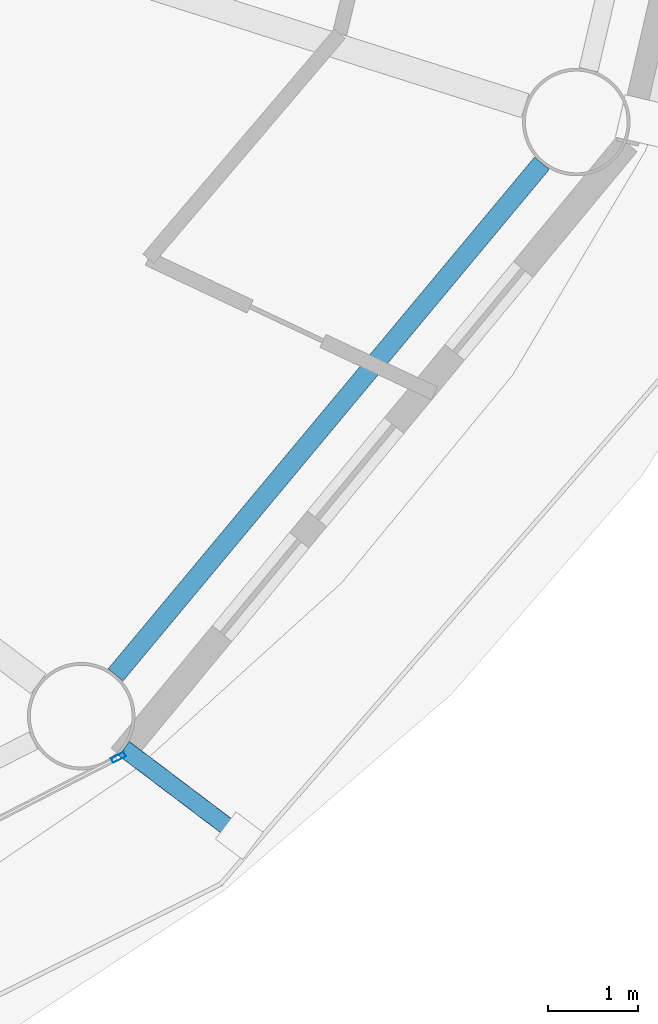
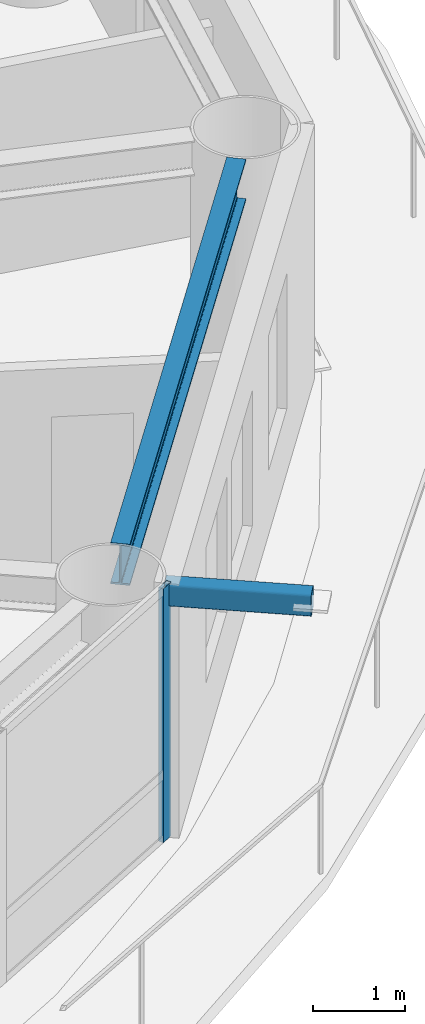
# One storey, part 7 of 28: 2 members, 1 beam, 1 element without a shape of its own.
"""IFC4 building model written with IfcOpenShell, lengths in metres."""

from ifc_helpers import new_model, si_unit, direction, frame, origin, origin_2d, place, context, subcontext, project, spatial, hollow_rectangle, i_section, extrude, material, layer, layer_set, material_profile, profile_set, type_object, element, aggregate, save


model = new_model("IFC4")

# Units and contexts
model_context = context("Model", 3, precision=1e-05, world=origin(), true_north=direction((0.0, 1.0)))
body_context = subcontext(model_context, "Body", "Model", "MODEL_VIEW")
ifc_project = project(units=[si_unit("LENGTHUNIT", "METRE"), si_unit("AREAUNIT", "SQUARE_METRE"), si_unit("VOLUMEUNIT", "CUBIC_METRE"), si_unit("PLANEANGLEUNIT", "RADIAN"), si_unit("MASSUNIT", "GRAM", prefix="KILO")], contexts=[model_context])

# Site, building, storey
site_placement = place(None, origin())
site = spatial("IfcSite", under=ifc_project, at=site_placement, CompositionType="ELEMENT")
building_placement = place(site_placement, origin())
building = spatial("IfcBuilding", under=site, at=building_placement, Name="Sarneth Arch Tower", CompositionType="ELEMENT")
storey_placement = place(building_placement, frame((0.0, 0.0, 183.0)))
storey = spatial("IfcBuildingStorey", under=building, at=storey_placement, Name="L46", CompositionType="ELEMENT", Elevation=183.0)

# Beam
ifc_material_1 = material(Name="Steel S355", Category="steel")
ifc_material_profile_1 = material_profile(ifc_material_1, i_section(OverallWidth=0.214111328125, OverallDepth=0.549072265625, WebThickness=0.0146484375, FlangeThickness=0.023681640625, FilletRadius=0.01806640625, at=origin_2d()), Name="W530x138")
ifc_profile_set_1 = profile_set([ifc_material_profile_1], Name="Steel S355")
beam_type = type_object("IfcBeamType", Name="BM-RAD-530A", PredefinedType="BEAM", material=ifc_profile_set_1)
beam_placement = place(storey_placement, frame((67.517822265625, 28.00048828125, 3.10546875), z_axis=(0.640161793626, 0.768240117399, 0.0), x_axis=(-0.768240117399, 0.640161793626, 0.0)))
element("IfcBeam", 1, at=beam_placement, inside=storey, type_object=beam_type, Name="L46 Perimeter spandrel beam 15", PredefinedType="BEAM", context=body_context, shape_type="SweptSolid", body=[
    extrude(i_section(OverallWidth=0.214111328125, OverallDepth=0.549072265625, WebThickness=0.0146484375, FlangeThickness=0.023681640625, FilletRadius=0.01806640625, at=origin_2d()), origin(), (0.0, 0.0, 1.0), 7.43603515625),
])

# Curtain wall, member
ifc_material_2 = material(Name="Anodised aluminium Type AA25 and solar-control low-e laminated IGU", Category="aluminium")
ifc_layer = layer(ifc_material_2, 0.169921875)
ifc_layer_set = layer_set([ifc_layer], Name="Anodised aluminium Type AA25 and solar-control low-e laminated IGU")
curtain_wall_type = type_object("IfcCurtainWallType", Name="CW-RES-MID", PredefinedType="NOTDEFINED", material=ifc_layer_set)
curtain_wall_placement = place(storey_placement, origin())
curtain_wall = element("IfcCurtainWall", 2, at=curtain_wall_placement, inside=storey, type_object=curtain_wall_type, Name="L46 Unitised curtain wall facet 14", PredefinedType="NOTDEFINED")
ifc_material_3 = material(Name="Anodised Aluminium 6063-T6", Category="aluminium")
ifc_material_profile_2 = material_profile(ifc_material_3, hollow_rectangle(XDim=0.06005859375, YDim=0.159912109375, WallThickness=0.00390625, at=origin_2d()), Name="AL-MULL-160x60x4")
ifc_profile_set_2 = profile_set([ifc_material_profile_2], Name="Anodised Aluminium 6063-T6")
member_type_1 = type_object("IfcMemberType", Name="CW-MULLION", PredefinedType="MULLION", material=ifc_profile_set_2)
member_1_placement = place(storey_placement, frame((67.549560546875, 27.08056640625, 0.0), z_axis=(0.0, 0.0, 1.0), x_axis=(-0.456208470329, 0.88987293003, 0.0)))
member_1 = element("IfcMember", 3, at=member_1_placement, type_object=member_type_1, Name="CW-SYS-5 mullion 4", PredefinedType="MULLION", context=body_context, shape_type="SweptSolid", body=[
    extrude(hollow_rectangle(XDim=0.06005859375, YDim=0.159912109375, WallThickness=0.00390625, at=origin_2d()), origin(), (0.0, 0.0, 1.0), 3.3798828125),
])
aggregate(curtain_wall, [member_1])

# Member
ifc_material_4 = material(Name="Steel S355", Category="steel")
ifc_material_profile_3 = material_profile(ifc_material_4, hollow_rectangle(XDim=0.199951171875, YDim=0.300048828125, WallThickness=0.012451171875, InnerFilletRadius=0.018798828125, OuterFilletRadius=0.03125, at=origin_2d()), Name="RHS300x200x12.5")
ifc_profile_set_3 = profile_set([ifc_material_profile_3], Name="Steel S355")
member_type_2 = type_object("IfcMemberType", Name="MEM-CANT-STRUT", PredefinedType="STRUT", material=ifc_profile_set_3)
member_2_placement = place(storey_placement, frame((67.612548828125, 27.177978515625, 3.219970703125), z_axis=(0.797742771317, -0.602997902826, 0.0), x_axis=(0.602997902826, 0.797742771317, 0.0)))
element("IfcMember", 4, at=member_2_placement, inside=storey, type_object=member_type_2, Name="L46 Balcony cantilever bracket 15", PredefinedType="STRUT", context=body_context, shape_type="SweptSolid", body=[
    extrude(hollow_rectangle(XDim=0.199951171875, YDim=0.300048828125, WallThickness=0.012451171875, InnerFilletRadius=0.018798828125, OuterFilletRadius=0.03125, at=origin_2d()), origin(), (0.0, 0.0, 1.0), 1.613525390625),
])

save(model, "model.ifc")
